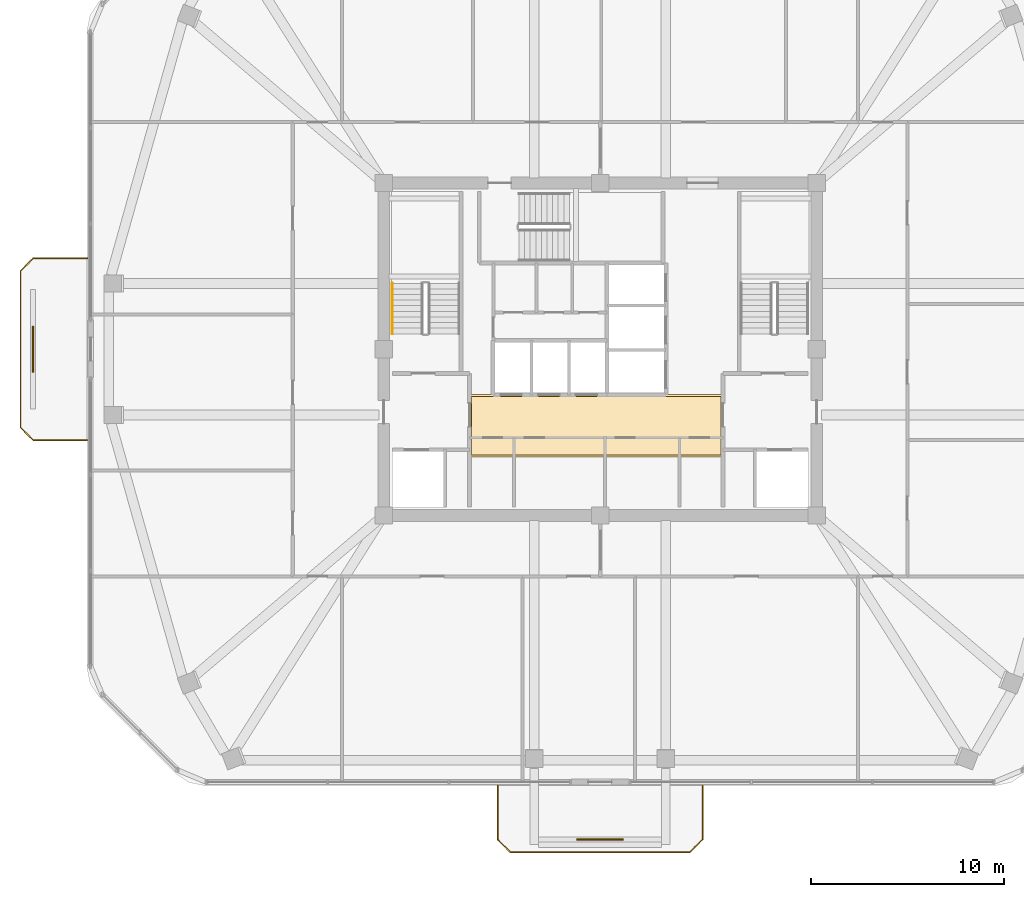
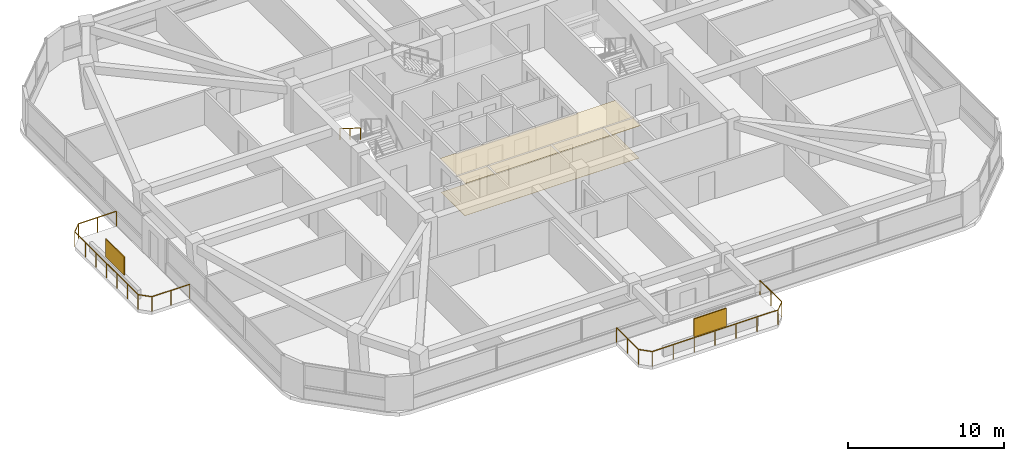
# One storey, part 12 of 13: 3 railings, 2 coverings, 2 shading devices.
"""IFC4 building model written with IfcOpenShell, lengths in metres."""

from ifc_helpers import new_model, si_unit, derived_unit, direction, frame, origin, origin_2d, place, context, subcontext, project, spatial, polyline, rectangle, outline, extrude, material, layer, layer_set, type_object, element, save


model = new_model("IFC4")

# Units and contexts
model_context = context("Model", 3, precision=1e-05, world=origin(), true_north=direction((0.0, 1.0)))
body_context = subcontext(model_context, "Body", "Model", "MODEL_VIEW")
ifc_project = project(units=[si_unit("LENGTHUNIT", "METRE"), si_unit("AREAUNIT", "SQUARE_METRE"), si_unit("VOLUMEUNIT", "CUBIC_METRE"), si_unit("PLANEANGLEUNIT", "RADIAN"), si_unit("MASSUNIT", "GRAM", prefix="KILO"), derived_unit("THERMALTRANSMITTANCEUNIT", [(si_unit("POWERUNIT", "WATT"), 1), (si_unit("LENGTHUNIT", "METRE"), -2), (si_unit("THERMODYNAMICTEMPERATUREUNIT", "KELVIN"), -1)])], contexts=[model_context])

# Site, building, storey
site_placement = place(None, origin())
site = spatial("IfcSite", under=ifc_project, at=site_placement, CompositionType="ELEMENT")
building_placement = place(site_placement, origin())
building = spatial("IfcBuilding", under=site, at=building_placement, Name="Koralith Skygarden Medical Center", CompositionType="ELEMENT")
storey_placement = place(building_placement, frame((0.0, 0.0, 214.3798828125)))
storey = spatial("IfcBuildingStorey", under=building, at=storey_placement, Name="L55", CompositionType="ELEMENT", Elevation=214.3798828125)

# Covering
ifc_material_1 = material(Name="Acoustic Mineral Tile")
ifc_layer_1 = layer(ifc_material_1, 0.02001953125)
ifc_layer_set_1 = layer_set([ifc_layer_1], Name="Acoustic Mineral Tile")
covering_type_1 = type_object("IfcCoveringType", Name="Acoustic Hygienic Mineral Ceiling 20", PredefinedType="CEILING", material=ifc_layer_set_1)
covering_1_placement = place(storey_placement, frame((0.0, 0.0, 2.585205078125)))
element("IfcCovering", 1, at=covering_1_placement, inside=storey, type_object=covering_type_1, Name="L55 Core Lobby Acoustic Ceiling", PredefinedType="CEILING", context=body_context, shape_type="SweptSolid", body=[
    extrude(outline(polyline([(30.25, 20.320068359375), (43.35009765625, 20.320068359375), (43.35009765625, 23.56005859375), (30.25, 23.56005859375), (30.25, 20.320068359375)])), origin(), (0.0, 0.0, 1.0), 0.02001953125),
])

# Railings
ifc_material_2 = material(Name="Steel ASTM A500 Grade C", Category="steel")
railing_type_1 = type_object("IfcRailingType", Name="Outdoor Terrace & Balcony Safety Guardrail 1180", PredefinedType="GUARDRAIL", material=ifc_material_2)
railing_1_placement = place(storey_placement, frame((31.699951171875, 3.3310546875, 0.0)))
element("IfcRailing", 2, at=railing_1_placement, inside=storey, type_object=railing_type_1, Name="L55 S Balcony Perimeter Guardrail", PredefinedType="GUARDRAIL", context=body_context, shape_type="SweptSolid", body=[
    extrude(rectangle(XDim=0.050048828125, YDim=0.050048828125, at=origin_2d()), frame((0.0, -0.001953125, 1.15478515625), z_axis=(0.0, -1.0, 0.0), x_axis=(1.0, 0.0, 0.0)), (0.0, 0.0, 1.0), 2.796142578125),
    extrude(rectangle(XDim=0.050048828125, YDim=0.050048828125, at=origin_2d()), frame((0.00146484375, -2.801513671875, 1.15478515625), z_axis=(0.707239558722, -0.706973978714, 0.0), x_axis=(0.706973978714, 0.707239558722, 0.0)), (0.0, 0.0, 1.0), 0.915283203125),
    extrude(rectangle(XDim=0.050048828125, YDim=0.050048828125, at=origin_2d()), frame((0.652099609375, -3.449951171875, 1.15478515625), z_axis=(1.0, 0.0, 0.0), x_axis=(0.0, 1.0, 0.0)), (0.0, 0.0, 1.0), 9.2958984375),
    extrude(rectangle(XDim=0.050048828125, YDim=0.050048828125, at=origin_2d()), frame((9.951416015625, -3.448486328125, 1.15478515625), z_axis=(0.707239558722, 0.706973978714, 0.0), x_axis=(-0.706973978714, 0.707239558722, 0.0)), (0.0, 0.0, 1.0), 0.915283203125),
    extrude(rectangle(XDim=0.050048828125, YDim=0.050048828125, at=origin_2d()), frame((10.60009765625, -2.798095703125, 1.15478515625), z_axis=(0.0, 1.0, 0.0), x_axis=(-1.0, 0.0, 0.0)), (0.0, 0.0, 1.0), 2.796142578125),
    extrude(rectangle(XDim=0.0419921875, YDim=0.0419921875, at=origin_2d()), origin(), (0.0, 0.0, 1.0), 1.1279296875),
    extrude(rectangle(XDim=0.0419921875, YDim=0.0419921875, at=origin_2d()), frame((0.0, -1.39990234375, 0.0)), (0.0, 0.0, 1.0), 1.1279296875),
    extrude(rectangle(XDim=0.0419921875, YDim=0.0419921875, at=origin_2d()), frame((0.0, -2.800048828125, 0.0)), (0.0, 0.0, 1.0), 1.1279296875),
    extrude(rectangle(XDim=0.0419921875, YDim=0.0419921875, at=origin_2d()), frame((0.650146484375, -3.449951171875, 0.0)), (0.0, 0.0, 1.0), 1.1279296875),
    extrude(rectangle(XDim=0.0419921875, YDim=0.0419921875, at=origin_2d()), frame((2.2001953125, -3.449951171875, 0.0)), (0.0, 0.0, 1.0), 1.1279296875),
    extrude(rectangle(XDim=0.0419921875, YDim=0.0419921875, at=origin_2d()), frame((3.75, -3.449951171875, 0.0)), (0.0, 0.0, 1.0), 1.1279296875),
    extrude(rectangle(XDim=0.0419921875, YDim=0.0419921875, at=origin_2d()), frame((5.300048828125, -3.449951171875, 0.0)), (0.0, 0.0, 1.0), 1.1279296875),
    extrude(rectangle(XDim=0.0419921875, YDim=0.0419921875, at=origin_2d()), frame((6.85009765625, -3.449951171875, 0.0)), (0.0, 0.0, 1.0), 1.1279296875),
    extrude(rectangle(XDim=0.0419921875, YDim=0.0419921875, at=origin_2d()), frame((8.39990234375, -3.449951171875, 0.0)), (0.0, 0.0, 1.0), 1.1279296875),
    extrude(rectangle(XDim=0.0419921875, YDim=0.0419921875, at=origin_2d()), frame((9.949951171875, -3.449951171875, 0.0)), (0.0, 0.0, 1.0), 1.1279296875),
    extrude(rectangle(XDim=0.0419921875, YDim=0.0419921875, at=origin_2d()), frame((10.60009765625, -2.800048828125, 0.0)), (0.0, 0.0, 1.0), 1.1279296875),
    extrude(rectangle(XDim=0.0419921875, YDim=0.0419921875, at=origin_2d()), frame((10.60009765625, -1.39990234375, 0.0)), (0.0, 0.0, 1.0), 1.1279296875),
    extrude(rectangle(XDim=0.0419921875, YDim=0.0419921875, at=origin_2d()), frame((10.60009765625, 0.0, 0.0)), (0.0, 0.0, 1.0), 1.1279296875),
])
railing_2_placement = place(storey_placement, frame((10.462890625, 21.199951171875, 0.0)))
element("IfcRailing", 3, at=railing_2_placement, inside=storey, type_object=railing_type_1, Name="L55 W Balcony Perimeter Guardrail", PredefinedType="GUARDRAIL", context=body_context, shape_type="SweptSolid", body=[
    extrude(rectangle(XDim=0.050048828125, YDim=0.050048828125, at=origin_2d()), frame((-0.001953125, 0.0, 1.15478515625), z_axis=(-1.0, 0.0, 0.0), x_axis=(0.0, -1.0, 0.0)), (0.0, 0.0, 1.0), 2.7958984375),
    extrude(rectangle(XDim=0.050048828125, YDim=0.050048828125, at=origin_2d()), frame((-2.80126953125, 0.00146484375, 1.15478515625), z_axis=(-0.707106781187, 0.707106781187, 0.0), x_axis=(-0.707106781187, -0.707106781187, 0.0)), (0.0, 0.0, 1.0), 0.91552734375),
    extrude(rectangle(XDim=0.050048828125, YDim=0.050048828125, at=origin_2d()), frame((-3.449951171875, 0.652099609375, 1.15478515625), z_axis=(0.0, 1.0, 0.0), x_axis=(-1.0, 0.0, 0.0)), (0.0, 0.0, 1.0), 8.095947265625),
    extrude(rectangle(XDim=0.050048828125, YDim=0.050048828125, at=origin_2d()), frame((-3.448486328125, 8.75146484375, 1.15478515625), z_axis=(0.707106781187, 0.707106781187, 0.0), x_axis=(-0.707106781187, 0.707106781187, 0.0)), (0.0, 0.0, 1.0), 0.91552734375),
    extrude(rectangle(XDim=0.050048828125, YDim=0.050048828125, at=origin_2d()), frame((-2.7978515625, 9.400146484375, 1.15478515625), z_axis=(1.0, 0.0, 0.0), x_axis=(0.0, 1.0, 0.0)), (0.0, 0.0, 1.0), 2.7958984375),
    extrude(rectangle(XDim=0.0419921875, YDim=0.0419921875, at=origin_2d()), origin(), (0.0, 0.0, 1.0), 1.1279296875),
    extrude(rectangle(XDim=0.0419921875, YDim=0.0419921875, at=origin_2d()), frame((-1.39990234375, 0.0, 0.0)), (0.0, 0.0, 1.0), 1.1279296875),
    extrude(rectangle(XDim=0.0419921875, YDim=0.0419921875, at=origin_2d()), frame((-2.7998046875, 0.0, 0.0)), (0.0, 0.0, 1.0), 1.1279296875),
    extrude(rectangle(XDim=0.0419921875, YDim=0.0419921875, at=origin_2d()), frame((-3.449951171875, 0.650146484375, 0.0)), (0.0, 0.0, 1.0), 1.1279296875),
    extrude(rectangle(XDim=0.0419921875, YDim=0.0419921875, at=origin_2d()), frame((-3.449951171875, 2.0, 0.0)), (0.0, 0.0, 1.0), 1.1279296875),
    extrude(rectangle(XDim=0.0419921875, YDim=0.0419921875, at=origin_2d()), frame((-3.449951171875, 3.35009765625, 0.0)), (0.0, 0.0, 1.0), 1.1279296875),
    extrude(rectangle(XDim=0.0419921875, YDim=0.0419921875, at=origin_2d()), frame((-3.449951171875, 4.7001953125, 0.0)), (0.0, 0.0, 1.0), 1.1279296875),
    extrude(rectangle(XDim=0.0419921875, YDim=0.0419921875, at=origin_2d()), frame((-3.449951171875, 6.050048828125, 0.0)), (0.0, 0.0, 1.0), 1.1279296875),
    extrude(rectangle(XDim=0.0419921875, YDim=0.0419921875, at=origin_2d()), frame((-3.449951171875, 7.39990234375, 0.0)), (0.0, 0.0, 1.0), 1.1279296875),
    extrude(rectangle(XDim=0.0419921875, YDim=0.0419921875, at=origin_2d()), frame((-3.449951171875, 8.75, 0.0)), (0.0, 0.0, 1.0), 1.1279296875),
    extrude(rectangle(XDim=0.0419921875, YDim=0.0419921875, at=origin_2d()), frame((-2.7998046875, 9.400146484375, 0.0)), (0.0, 0.0, 1.0), 1.1279296875),
    extrude(rectangle(XDim=0.0419921875, YDim=0.0419921875, at=origin_2d()), frame((-1.39990234375, 9.400146484375, 0.0)), (0.0, 0.0, 1.0), 1.1279296875),
    extrude(rectangle(XDim=0.0419921875, YDim=0.0419921875, at=origin_2d()), frame((0.0, 9.400146484375, 0.0)), (0.0, 0.0, 1.0), 1.1279296875),
])

# Shading devices
ifc_material_3 = material(Name="Aluminium 6063-T6", Category="aluminium")
ifc_layer_2 = layer(ifc_material_3, 0.080078125)
ifc_layer_set_2 = layer_set([ifc_layer_2], Name="Aluminium 6063-T6")
shading_device_type = type_object("IfcShadingDeviceType", Name="Perforated Biophilic Balcony Trellis Screen", PredefinedType="USERDEFINED", material=ifc_layer_set_2)
for number, where, z_axis, x_axis, name in (
    (4, (37.0, 0.531005859375, 0.72021484375), (0.0, 0.0, 1.0), (1.0, 0.0, 0.0), "L55 S Biophilic Balcony Trellis Screen"),
    (5, (7.6630859375, 25.89990234375, 0.72021484375), (0.0, 0.0, 1.0), (0.0, 1.0, 0.0), "L55 W Biophilic Balcony Trellis Screen"),
):
    element("IfcShadingDevice", number, at=place(storey_placement, frame(where, z_axis=z_axis, x_axis=x_axis)), inside=storey, type_object=shading_device_type, Name=name, ObjectType="HURRICANE SCREEN", PredefinedType="USERDEFINED", context=body_context, shape_type="SweptSolid", body=[
        extrude(rectangle(XDim=2.39990234375, YDim=0.080078125, at=origin_2d()), origin(), (0.0, 0.0, 1.0), 1.39990234375),
    ])

# Covering
ifc_material_4 = material(Name="Medical Terrazzo Flooring")
ifc_layer_3 = layer(ifc_material_4, 0.014892578125)
ifc_layer_set_3 = layer_set([ifc_layer_3], Name="Medical Terrazzo Flooring")
covering_type_2 = type_object("IfcCoveringType", Name="Seamless Antimicrobial Terrazzo Flooring 15", PredefinedType="FLOORING", material=ifc_layer_set_3)
covering_2_placement = place(storey_placement, origin())
element("IfcCovering", 6, at=covering_2_placement, inside=storey, type_object=covering_type_2, Name="L55 Core Lobby Terrazzo Flooring", PredefinedType="FLOORING", context=body_context, shape_type="SweptSolid", body=[
    extrude(outline(polyline([(30.35009765625, 20.419921875), (43.25, 20.419921875), (43.25, 23.4599609375), (30.35009765625, 23.4599609375), (30.35009765625, 20.419921875)])), origin(), (0.0, 0.0, 1.0), 0.01513671875),
])

# Railing
railing_type_2 = type_object("IfcRailingType", Name="Stair Flight Tubular Handrail 920", PredefinedType="HANDRAIL", material=ifc_material_2)
railing_3_placement = place(storey_placement, frame((26.25, 29.31005859375, 1.980224609375)))
element("IfcRailing", 7, at=railing_3_placement, inside=storey, type_object=railing_type_2, Name="L55 ST1 stair handrail 2", PredefinedType="HANDRAIL", context=body_context, shape_type="SweptSolid", body=[
    extrude(rectangle(XDim=0.050048828125, YDim=0.050048828125, at=origin_2d()), frame((0.0, -0.001708984375, 0.89599609375), z_axis=(0.0, -0.849668407637, 0.527317358963), x_axis=(1.0, 0.0, 0.0)), (0.0, 0.0, 1.0), 3.06787109375),
    extrude(rectangle(XDim=0.0419921875, YDim=0.0419921875, at=origin_2d()), origin(), (0.0, 0.0, 1.0), 0.867919921875),
    extrude(rectangle(XDim=0.0419921875, YDim=0.0419921875, at=origin_2d()), frame((0.0, -1.30517578125, 0.81005859375)), (0.0, 0.0, 1.0), 0.867919921875),
    extrude(rectangle(XDim=0.0419921875, YDim=0.0419921875, at=origin_2d()), frame((0.0, -2.610107421875, 1.619873046875)), (0.0, 0.0, 1.0), 0.867919921875),
])

save(model, "model.ifc")
